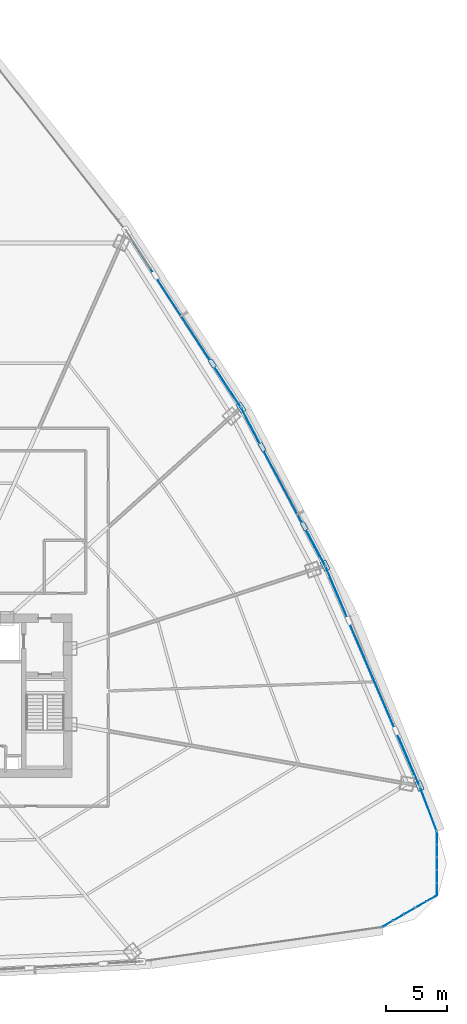
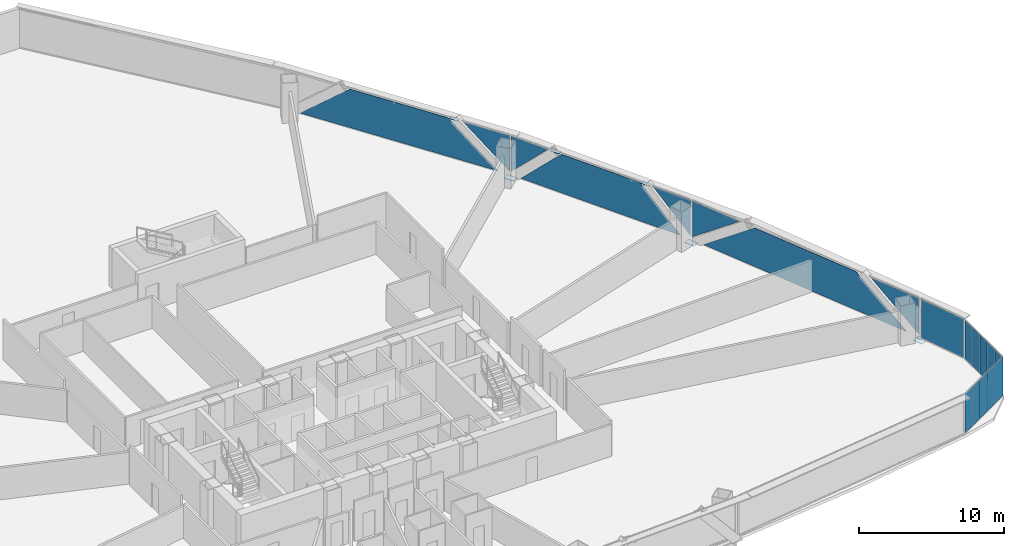
# One storey, part 31 of 41: 25 plates, 6 elements without a shape of their own.
"""IFC4 building model written with IfcOpenShell, lengths in metres."""

from ifc_helpers import new_model, si_unit, direction, frame, origin, origin_2d, place, context, subcontext, project, spatial, polyline, rectangle, outline, extrude, source, transform, mapped, material, layer, layer_set, type_object, element, aggregate, save


model = new_model("IFC4")

# Units and contexts
model_context = context("Model", 3, precision=1e-05, world=origin(), true_north=direction((0.0, 1.0)))
body_context = subcontext(model_context, "Body", "Model", "MODEL_VIEW")
ifc_project = project(units=[si_unit("LENGTHUNIT", "METRE"), si_unit("AREAUNIT", "SQUARE_METRE"), si_unit("VOLUMEUNIT", "CUBIC_METRE"), si_unit("PLANEANGLEUNIT", "RADIAN"), si_unit("MASSUNIT", "GRAM", prefix="KILO"), si_unit("THERMODYNAMICTEMPERATUREUNIT", "KELVIN"), si_unit("POWERUNIT", "WATT")], contexts=[model_context])

# Site, building, storey
site_placement = place(None, origin())
site = spatial("IfcSite", under=ifc_project, at=site_placement, CompositionType="ELEMENT")
building_placement = place(site_placement, origin())
building = spatial("IfcBuilding", under=site, at=building_placement, Name="Yunzhuo Pagoda Commons", CompositionType="ELEMENT")
storey_placement = place(building_placement, frame((0.0, 0.0, 63.070068359375)))
storey = spatial("IfcBuildingStorey", under=building, at=storey_placement, Name="L16", CompositionType="ELEMENT", Elevation=63.070068359375)

# Curtain wall, plates
ifc_material_1 = material(Name="Anodized aluminium 6063-T6", Category="aluminium")
ifc_layer_1 = layer(ifc_material_1, 0.1650390625)
ifc_layer_set_1 = layer_set([ifc_layer_1], Name="Anodized aluminium 6063-T6")
curtain_wall_type_1 = type_object("IfcCurtainWallType", Name="CW-LOW Low-Zone Ribbon Curtain Wall", PredefinedType="NOTDEFINED", material=ifc_layer_set_1)
curtain_wall_1_placement = place(storey_placement, origin())
curtain_wall_1 = element("IfcCurtainWall", 1, at=curtain_wall_1_placement, inside=storey, type_object=curtain_wall_type_1, Name="L16 curtain wall CW-L16-F2B2", PredefinedType="NOTDEFINED")
ifc_material_2 = material(Name="Tempered low-e double glazing", Category="glass")
ifc_layer_2 = layer(ifc_material_2, 0.028076171875)
ifc_layer_set_2 = layer_set([ifc_layer_2], Name="Tempered low-e double glazing")
plate_type_1 = type_object("IfcPlateType", Name="CW-LOW-P Low-E Double Glazing 28", PredefinedType="CURTAIN_PANEL", material=ifc_layer_set_2)
plate_1_placement = place(storey_placement, frame((88.2294921875, 28.408447265625, 1.78515625), z_axis=(0.919121093161, 0.39397514656, 0.0), x_axis=(-0.39397514656, 0.919121093161, 0.0)))
plate_1 = element("IfcPlate", 2, at=plate_1_placement, type_object=plate_type_1, Name="CW panel 1.1 lite 1", PredefinedType="CURTAIN_PANEL", context=body_context, shape_type="SweptSolid", body=[
    extrude(outline(polyline([(-2.065185546875, -1.52490234375), (2.065185546875, 1.52490234375), (-2.065185546875, 1.52490234375), (-2.065185546875, -1.52490234375)])), origin(), (0.0, 0.0, 1.0), 0.028076171875),
])
plate_2_placement = place(storey_placement, frame((85.16748046875, 35.47607421875, 1.684814453125), z_axis=(0.919121093161, 0.39397514656, 0.0), x_axis=(-0.39397514656, 0.919121093161, 0.0)))
plate_2 = element("IfcPlate", 3, at=plate_2_placement, type_object=plate_type_1, Name="CW panel 1.1 lite 2", PredefinedType="CURTAIN_PANEL", context=body_context, shape_type="SweptSolid", body=[
    extrude(outline(polyline([(-8.759521484375, -1.625), (8.759521484375, -1.625), (4.35791015625, 1.625), (-4.35791015625, 1.625), (-8.759521484375, -1.625)])), origin(), (0.0, 0.0, 1.0), 0.028076171875),
])
plate_3_placement = place(storey_placement, frame((82.160400390625, 42.5673828125, 1.78515625), z_axis=(0.919121093161, 0.39397514656, 0.0), x_axis=(-0.39397514656, 0.919121093161, 0.0)))
plate_3 = element("IfcPlate", 4, at=plate_3_placement, type_object=plate_type_1, Name="CW panel 1.1 lite 3", PredefinedType="CURTAIN_PANEL", context=body_context, shape_type="SweptSolid", body=[
    extrude(outline(polyline([(-2.065185546875, 1.52490234375), (2.065185546875, -1.52490234375), (2.065185546875, 1.52490234375), (-2.065185546875, 1.52490234375)])), origin(), (0.0, 0.0, 1.0), 0.028076171875),
])
aggregate(curtain_wall_1, [plate_1, plate_2, plate_3])

curtain_wall_2_placement = place(storey_placement, origin())
curtain_wall_2 = element("IfcCurtainWall", 5, at=curtain_wall_2_placement, inside=storey, type_object=curtain_wall_type_1, Name="L16 curtain wall CW-L16-F2B3", PredefinedType="NOTDEFINED")
plate_4_placement = place(storey_placement, frame((80.58447265625, 45.908447265625, 1.82421875), z_axis=(0.882636758547, 0.470055690808, 0.0), x_axis=(-0.470055690808, 0.882636758547, 0.0)))
plate_4 = element("IfcPlate", 6, at=plate_4_placement, type_object=plate_type_1, Name="CW panel 1.1 lite 1", PredefinedType="CURTAIN_PANEL", context=body_context, shape_type="SweptSolid", body=[
    extrude(outline(polyline([(-1.503173828125, -1.48583984375), (1.503173828125, 1.485595703125), (-1.503173828125, 1.485595703125), (-1.503173828125, -1.48583984375)])), origin(), (0.0, 0.0, 1.0), 0.028076171875),
])
plate_5_placement = place(storey_placement, frame((77.842529296875, 50.9931640625, 1.684814453125), z_axis=(0.882636758547, 0.470055690808, 0.0), x_axis=(-0.470055690808, 0.882636758547, 0.0)))
plate_5 = element("IfcPlate", 7, at=plate_5_placement, type_object=plate_type_1, Name="CW panel 1.1 lite 2", PredefinedType="CURTAIN_PANEL", context=body_context, shape_type="SweptSolid", body=[
    extrude(outline(polyline([(-6.480712890625, -1.625), (6.480712890625, -1.625), (3.192626953125, 1.625), (-3.192626953125, 1.625), (-6.480712890625, -1.625)])), origin(), (0.0, 0.0, 1.0), 0.028076171875),
])
plate_6_placement = place(storey_placement, frame((75.153564453125, 56.106201171875, 1.82421875), z_axis=(0.882636758547, 0.470055690808, 0.0), x_axis=(-0.470055690808, 0.882636758547, 0.0)))
plate_6 = element("IfcPlate", 8, at=plate_6_placement, type_object=plate_type_1, Name="CW panel 1.1 lite 3", PredefinedType="CURTAIN_PANEL", context=body_context, shape_type="SweptSolid", body=[
    extrude(outline(polyline([(-1.503173828125, 1.485595703125), (1.503173828125, -1.48583984375), (1.503173828125, 1.485595703125), (-1.503173828125, 1.485595703125)])), origin(), (0.0, 0.0, 1.0), 0.028076171875),
])
aggregate(curtain_wall_2, [plate_4, plate_5, plate_6])

curtain_wall_3_placement = place(storey_placement, origin())
curtain_wall_3 = element("IfcCurtainWall", 9, at=curtain_wall_3_placement, inside=storey, type_object=curtain_wall_type_1, Name="L16 curtain wall CW-L16-F2B4", PredefinedType="NOTDEFINED")
plate_7_placement = place(storey_placement, frame((73.40576171875, 59.0478515625, 1.800537109375), z_axis=(0.838840312647, 0.54437756188, 0.0), x_axis=(-0.54437756188, 0.838840312647, 0.0)))
plate_7 = element("IfcPlate", 10, at=plate_7_placement, type_object=plate_type_1, Name="CW panel 1.1 lite 1", PredefinedType="CURTAIN_PANEL", context=body_context, shape_type="SweptSolid", body=[
    extrude(outline(polyline([(-1.793212890625, -1.50927734375), (1.793212890625, 1.50927734375), (-1.793212890625, 1.50927734375), (-1.793212890625, -1.50927734375)])), origin(), (0.0, 0.0, 1.0), 0.028076171875),
])
plate_8_placement = place(storey_placement, frame((69.696533203125, 64.708251953125, 1.684814453125), z_axis=(0.838840312647, 0.54437756188, 0.0), x_axis=(-0.54437756188, 0.838840312647, 0.0)))
plate_8 = element("IfcPlate", 11, at=plate_8_placement, type_object=plate_type_1, Name="CW panel 1.1 lite 2", PredefinedType="CURTAIN_PANEL", context=body_context, shape_type="SweptSolid", body=[
    extrude(outline(polyline([(-7.6552734375, -1.625), (7.6552734375, -1.625), (3.7939453125, 1.625), (-3.7939453125, 1.625), (-7.6552734375, -1.625)])), origin(), (0.0, 0.0, 1.0), 0.028076171875),
])
aggregate(curtain_wall_3, [plate_7, plate_8])

# Plates
ifc_material_3 = material(Name="Structural steel Q355B", Category="steel")
ifc_layer_3 = layer(ifc_material_3, 0.028076171875)
ifc_layer_set_3 = layer_set([ifc_layer_3], Name="Structural steel Q355B")
plate_type_2 = type_object("IfcPlateType", Name="SP-ND1 Lattice Node Cap Plate 800x500x28", PredefinedType="USERDEFINED", material=ifc_layer_set_3)
shared_shape_1 = source(origin(), body_context, "Body", "SweptSolid", [
    extrude(rectangle(XDim=0.800048828125, YDim=0.5, at=origin_2d()), origin(), (0.0, 0.0, 1.0), 0.028076171875),
])
for number, where, z_axis, x_axis, name in (
    (12, (89.081787109375, 26.456298828125, -0.27392578125), (0.0, 0.0, 1.0), (-0.393973993227, 0.91912158753, 0.0), "L16 diamond node plate F2.1A"),
    (13, (81.333984375, 44.531005859375, -0.27392578125), (0.0, 0.0, 1.0), (-0.47005705251, 0.88263603336, 0.0), "L16 diamond node plate F2.2A"),
    (14, (74.428955078125, 57.496826171875, -0.27392578125), (0.0, 0.0, 1.0), (-0.544375532013, 0.838841629955, 0.0), "L16 diamond node plate F2.3A"),
):
    element("IfcPlate", number, at=place(storey_placement, frame(where, z_axis=z_axis, x_axis=x_axis)), inside=storey, type_object=plate_type_2, Name=name, ObjectType="STIFFENER_PLATE", PredefinedType="USERDEFINED", context=body_context, shape_type="MappedRepresentation", body=[
        mapped(shared_shape_1, transform((0.0, 0.0, 0.0), scale=1.0)),
    ])
shared_shape_2 = source(origin(), body_context, "Body", "SweptSolid", [
    extrude(rectangle(XDim=0.699951171875, YDim=0.35009765625, at=origin_2d()), origin(), (0.0, 0.0, 1.0), 0.035888671875),
])
for number, where, z_axis, x_axis, name in (
    (15, (79.60791015625, 47.7724609375, 3.33203125), (0.0, 0.0, 1.0), (-0.47005705251, 0.88263603336, 0.0), "L16 setback lattice tie plate F2.2L"),
    (16, (76.1552734375, 54.25537109375, 3.33203125), (0.0, 0.0, 1.0), (-0.47005705251, 0.88263603336, 0.0), "L16 setback lattice tie plate F2.2R"),
    (17, (72.081298828125, 61.114501953125, 3.33203125), (0.0, 0.0, 1.0), (-0.544375532013, 0.838841629955, 0.0), "L16 setback lattice tie plate F2.3L"),
):
    element("IfcPlate", number, at=place(storey_placement, frame(where, z_axis=z_axis, x_axis=x_axis)), inside=storey, type_object=plate_type_2, Name=name, ObjectType="STIFFENER_PLATE", PredefinedType="USERDEFINED", context=body_context, shape_type="MappedRepresentation", body=[
        mapped(shared_shape_2, transform((0.0, 0.0, 0.0), scale=1.0)),
    ])

# Curtain wall, plate
curtain_wall_4_placement = place(storey_placement, origin())
curtain_wall_4 = element("IfcCurtainWall", 18, at=curtain_wall_4_placement, inside=storey, type_object=curtain_wall_type_1, Name="L16 curtain wall CW-L16-F2B1", PredefinedType="NOTDEFINED")
shared_shape_3 = source(origin(), body_context, "Body", "SweptSolid", [
    extrude(rectangle(XDim=3.80126953125, YDim=0.028076171875, at=origin_2d()), origin(), (0.0, 0.0, 1.0), 3.25),
])
plate_9_placement = place(storey_placement, frame((89.802734375, 24.547119140625, 0.059814453125), z_axis=(0.0, 0.0, 1.0), x_axis=(-0.353291245367, 0.9355133863, 0.0)))
plate_9 = element("IfcPlate", 19, at=plate_9_placement, type_object=plate_type_1, Name="CW panel 1.1", PredefinedType="CURTAIN_PANEL", context=body_context, shape_type="MappedRepresentation", body=[
    mapped(shared_shape_3, transform((0.0, 0.0, 0.0), scale=1.0)),
])
aggregate(curtain_wall_4, [plate_9])

# Curtain wall, plates
ifc_layer_4 = layer(ifc_material_1, 0.1298828125)
ifc_layer_set_4 = layer_set([ifc_layer_4], Name="Anodized aluminium 6063-T6")
curtain_wall_type_2 = type_object("IfcCurtainWallType", Name="CW-VTX Rounded Corner Curtain Wall", PredefinedType="NOTDEFINED", material=ifc_layer_set_4)
curtain_wall_5_placement = place(storey_placement, origin())
curtain_wall_5 = element("IfcCurtainWall", 20, at=curtain_wall_5_placement, inside=storey, type_object=curtain_wall_type_2, Name="L16 curtain wall CW-L16-VTX2S1", PredefinedType="NOTDEFINED")
ifc_layer_5 = layer(ifc_material_2, 0.02587890625)
ifc_layer_set_5 = layer_set([ifc_layer_5], Name="Tempered low-e double glazing")
plate_type_3 = type_object("IfcPlateType", Name="CW-VTX-P Low-E Double Glazing 26", PredefinedType="CURTAIN_PANEL", material=ifc_layer_set_5)
shared_shape_4 = source(origin(), body_context, "Body", "SweptSolid", [
    extrude(rectangle(XDim=0.9716796875, YDim=0.028076171875, at=origin_2d()), origin(), (0.0, 0.0, 1.0), 3.260009765625),
])
plate_10_placement = place(storey_placement, frame((86.462158203125, 15.136474609375, 0.0546875), z_axis=(0.0, 0.0, 1.0), x_axis=(0.865424986596, 0.501038514064, 0.0)))
plate_10 = element("IfcPlate", 21, at=plate_10_placement, type_object=plate_type_3, Name="CW panel 1.1", PredefinedType="CURTAIN_PANEL", context=body_context, shape_type="MappedRepresentation", body=[
    mapped(shared_shape_4, transform((0.0, 0.0, 0.0), scale=1.0)),
])
plate_11_placement = place(storey_placement, frame((90.087890625, 17.235595703125, 0.0546875), z_axis=(0.0, 0.0, 1.0), x_axis=(0.865424986596, 0.501038514064, 0.0)))
plate_11 = element("IfcPlate", 22, at=plate_11_placement, type_object=plate_type_3, Name="CW panel 5.1", PredefinedType="CURTAIN_PANEL", context=body_context, shape_type="MappedRepresentation", body=[
    mapped(shared_shape_4, transform((0.0, 0.0, 0.0), scale=1.0)),
])

curtain_wall_6_placement = place(storey_placement, origin())
curtain_wall_6 = element("IfcCurtainWall", 23, at=curtain_wall_6_placement, inside=storey, type_object=curtain_wall_type_2, Name="L16 curtain wall CW-L16-VTX2S2", PredefinedType="NOTDEFINED")
plate_12_placement = place(storey_placement, frame((90.51416015625, 17.97802734375, 0.0546875), z_axis=(0.0, 0.0, 1.0), x_axis=(-0.003585566294, 0.999993571837, 0.0)))
plate_12 = element("IfcPlate", 24, at=plate_12_placement, type_object=plate_type_3, Name="CW panel 1.1", PredefinedType="CURTAIN_PANEL", context=body_context, shape_type="MappedRepresentation", body=[
    mapped(shared_shape_4, transform((0.0, 0.0, 0.0), scale=1.0)),
])
plate_13_placement = place(storey_placement, frame((90.4990234375, 22.167236328125, 0.0546875), z_axis=(0.0, 0.0, 1.0), x_axis=(-0.003585566294, 0.999993571837, 0.0)))
plate_13 = element("IfcPlate", 25, at=plate_13_placement, type_object=plate_type_3, Name="CW panel 5.1", PredefinedType="CURTAIN_PANEL", context=body_context, shape_type="MappedRepresentation", body=[
    mapped(shared_shape_4, transform((0.0, 0.0, 0.0), scale=1.0)),
])

# Plate
shared_shape_5 = source(origin(), body_context, "Body", "SweptSolid", [
    extrude(rectangle(XDim=0.999267578125, YDim=0.028076171875, at=origin_2d()), origin(), (0.0, 0.0, 1.0), 3.260009765625),
])
plate_14_placement = place(storey_placement, frame((87.36279296875, 15.657958984375, 0.0546875), z_axis=(0.0, 0.0, 1.0), x_axis=(0.865424986596, 0.501038514064, 0.0)))
plate_14 = element("IfcPlate", 26, at=plate_14_placement, type_object=plate_type_3, Name="CW panel 2.1", PredefinedType="CURTAIN_PANEL", context=body_context, shape_type="MappedRepresentation", body=[
    mapped(shared_shape_5, transform((0.0, 0.0, 0.0), scale=1.0)),
])

plate_15_placement = place(storey_placement, frame((88.275146484375, 16.18603515625, 0.0546875), z_axis=(0.0, 0.0, 1.0), x_axis=(0.865424986596, 0.501038514064, 0.0)))
plate_15 = element("IfcPlate", 27, at=plate_15_placement, type_object=plate_type_3, Name="CW panel 3.1", PredefinedType="CURTAIN_PANEL", context=body_context, shape_type="MappedRepresentation", body=[
    mapped(shared_shape_5, transform((0.0, 0.0, 0.0), scale=1.0)),
])

plate_16_placement = place(storey_placement, frame((89.1875, 16.71435546875, 0.0546875), z_axis=(0.0, 0.0, 1.0), x_axis=(0.865424986596, 0.501038514064, 0.0)))
plate_16 = element("IfcPlate", 28, at=plate_16_placement, type_object=plate_type_3, Name="CW panel 4.1", PredefinedType="CURTAIN_PANEL", context=body_context, shape_type="MappedRepresentation", body=[
    mapped(shared_shape_5, transform((0.0, 0.0, 0.0), scale=1.0)),
])

aggregate(curtain_wall_5, [plate_10, plate_14, plate_15, plate_16, plate_11])

plate_17_placement = place(storey_placement, frame((90.51025390625, 19.018310546875, 0.0546875), z_axis=(0.0, 0.0, 1.0), x_axis=(-0.003585566294, 0.999993571837, 0.0)))
plate_17 = element("IfcPlate", 29, at=plate_17_placement, type_object=plate_type_3, Name="CW panel 2.1", PredefinedType="CURTAIN_PANEL", context=body_context, shape_type="MappedRepresentation", body=[
    mapped(shared_shape_5, transform((0.0, 0.0, 0.0), scale=1.0)),
])

plate_18_placement = place(storey_placement, frame((90.506591796875, 20.07275390625, 0.0546875), z_axis=(0.0, 0.0, 1.0), x_axis=(-0.003585566294, 0.999993571837, 0.0)))
plate_18 = element("IfcPlate", 30, at=plate_18_placement, type_object=plate_type_3, Name="CW panel 3.1", PredefinedType="CURTAIN_PANEL", context=body_context, shape_type="MappedRepresentation", body=[
    mapped(shared_shape_5, transform((0.0, 0.0, 0.0), scale=1.0)),
])

plate_19_placement = place(storey_placement, frame((90.502685546875, 21.126953125, 0.0546875), z_axis=(0.0, 0.0, 1.0), x_axis=(-0.003585566294, 0.999993571837, 0.0)))
plate_19 = element("IfcPlate", 31, at=plate_19_placement, type_object=plate_type_3, Name="CW panel 4.1", PredefinedType="CURTAIN_PANEL", context=body_context, shape_type="MappedRepresentation", body=[
    mapped(shared_shape_5, transform((0.0, 0.0, 0.0), scale=1.0)),
])

aggregate(curtain_wall_6, [plate_12, plate_17, plate_18, plate_19, plate_13])

save(model, "model.ifc")
